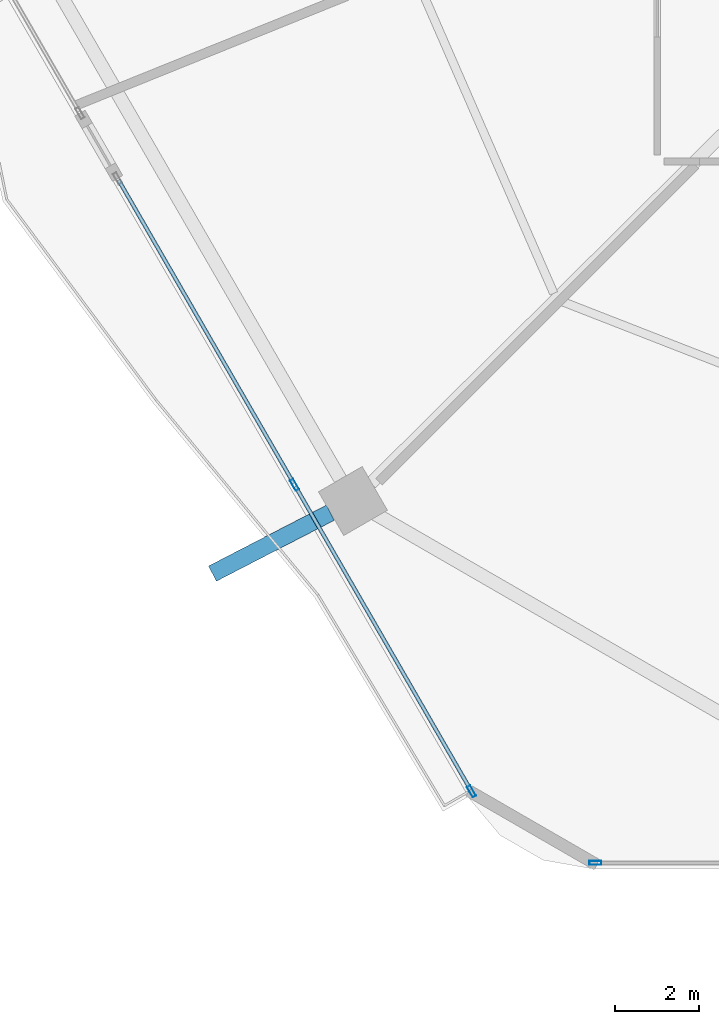
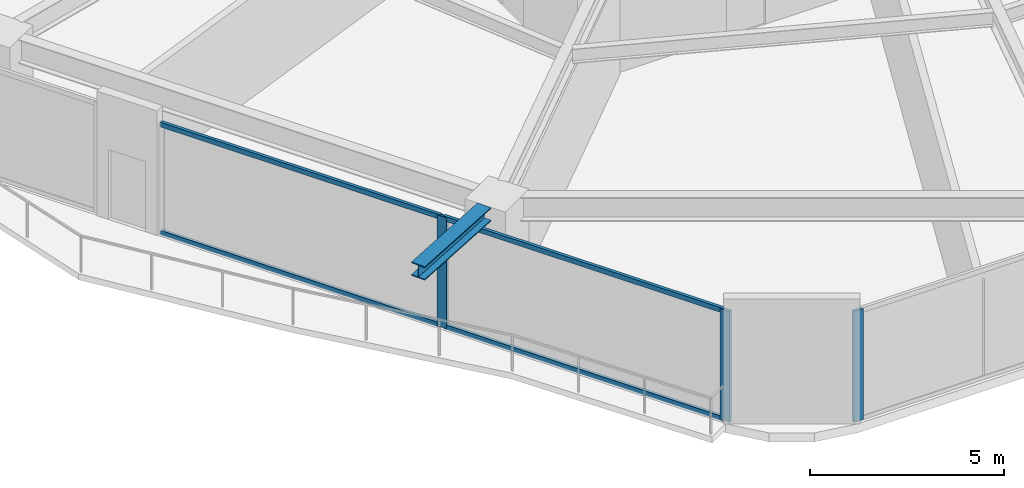
# One storey, part 2 of 27: 7 members, 1 beam, 2 elements without a shape of their own.
"""IFC4 building model written with IfcOpenShell, lengths in metres."""

from ifc_helpers import new_model, si_unit, direction, frame, origin, origin_2d, place, context, subcontext, project, spatial, hollow_rectangle, i_section, extrude, material, material_profile, profile_set, type_object, element, aggregate, save


model = new_model("IFC4")

# Units and contexts
model_context = context("Model", 3, precision=1e-05, world=origin(), true_north=direction((0.0, 1.0)))
body_context = subcontext(model_context, "Body", "Model", "MODEL_VIEW")
ifc_project = project(units=[si_unit("LENGTHUNIT", "METRE"), si_unit("AREAUNIT", "SQUARE_METRE"), si_unit("VOLUMEUNIT", "CUBIC_METRE"), si_unit("PLANEANGLEUNIT", "RADIAN"), si_unit("MASSUNIT", "GRAM", prefix="KILO")], contexts=[model_context])

# Site, building, storey
site_placement = place(None, origin())
site = spatial("IfcSite", under=ifc_project, at=site_placement, CompositionType="ELEMENT")
building_placement = place(site_placement, origin())
building = spatial("IfcBuilding", under=site, at=building_placement, Name="Zuhravey Tower", CompositionType="ELEMENT")
storey_placement = place(building_placement, frame((0.0, 0.0, 12.0)))
storey = spatial("IfcBuildingStorey", under=building, at=storey_placement, Name="L03", CompositionType="ELEMENT", Elevation=12.0)

# Curtain wall, member
ifc_material_1 = material(Name="Thermally broken anodised aluminium", Category="aluminium")
curtain_wall_type = type_object("IfcCurtainWallType", Name="School Low-E Unitised Curtain Wall CW1", PredefinedType="NOTDEFINED", material=ifc_material_1)
curtain_wall_1_placement = place(storey_placement, origin())
curtain_wall_1 = element("IfcCurtainWall", 1, at=curtain_wall_1_placement, inside=storey, type_object=curtain_wall_type, Name="L03 CW1 CW-L03-F5-1", PredefinedType="NOTDEFINED")
ifc_material_2 = material(Name="Anodised aluminium", Category="aluminium")
ifc_material_profile_1 = material_profile(ifc_material_2, hollow_rectangle(XDim=0.090087890625, YDim=0.284912109375, WallThickness=0.0048828125, at=origin_2d()), Name="ALU-RHS-90x285x5")
ifc_profile_set_1 = profile_set([ifc_material_profile_1], Name="Anodised aluminium")
member_type_1 = type_object("IfcMemberType", Name="Curtain-Wall Mullion 90x180", PredefinedType="MULLION", material=ifc_profile_set_1)
member_1_placement = place(storey_placement, frame((21.24560546875, 3.04150390625, 0.0), z_axis=(0.0, 0.0, 1.0), x_axis=(0.0, -1.0, 0.0)))
member_1 = element("IfcMember", 2, at=member_1_placement, type_object=member_type_1, Name="CW1 mullion 4", PredefinedType="MULLION", context=body_context, shape_type="SweptSolid", body=[
    extrude(hollow_rectangle(XDim=0.090087890625, YDim=0.284912109375, WallThickness=0.0048828125, at=origin_2d()), origin(), (0.0, 0.0, 1.0), 3.491943359375),
])
aggregate(curtain_wall_1, [member_1])

# Curtain wall, members
curtain_wall_2_placement = place(storey_placement, origin())
curtain_wall_2 = element("IfcCurtainWall", 3, at=curtain_wall_2_placement, inside=storey, type_object=curtain_wall_type, Name="L03 CW1 CW-L03-F4-1", PredefinedType="NOTDEFINED")
member_2_placement = place(storey_placement, frame((18.298583984375, 4.742919921875, 0.0), z_axis=(0.0, 0.0, 1.0), x_axis=(-0.866025508574, -0.499999818499, 0.0)))
member_2 = element("IfcMember", 4, at=member_2_placement, type_object=member_type_1, Name="CW1 mullion 1", PredefinedType="MULLION", context=body_context, shape_type="SweptSolid", body=[
    extrude(hollow_rectangle(XDim=0.090087890625, YDim=0.284912109375, WallThickness=0.0048828125, at=origin_2d()), origin(), (0.0, 0.0, 1.0), 3.491943359375),
])
member_3_placement = place(storey_placement, frame((14.09228515625, 12.028564453125, 0.0), z_axis=(0.0, 0.0, 1.0), x_axis=(-0.866025508574, -0.499999818499, 0.0)))
member_3 = element("IfcMember", 5, at=member_3_placement, type_object=member_type_1, Name="CW1 mullion 2", PredefinedType="MULLION", context=body_context, shape_type="SweptSolid", body=[
    extrude(hollow_rectangle(XDim=0.090087890625, YDim=0.284912109375, WallThickness=0.0048828125, at=origin_2d()), origin(), (0.0, 0.0, 1.0), 3.491943359375),
])
ifc_material_profile_2 = material_profile(ifc_material_2, hollow_rectangle(XDim=0.090087890625, YDim=0.14990234375, WallThickness=0.0048828125, at=origin_2d()), Name="ALU-RHS-90x150x5")
ifc_profile_set_2 = profile_set([ifc_material_profile_2], Name="Anodised aluminium")
member_type_2 = type_object("IfcMemberType", Name="Curtain-Wall Transom 90x150", PredefinedType="USERDEFINED", material=ifc_profile_set_2)
member_4_placement = place(storey_placement, frame((18.27587890625, 4.781982421875, 0.044921875), z_axis=(-0.499988236992, 0.866032195053, 0.0), x_axis=(-0.866032195053, -0.499988236992, 0.0)))
member_4 = element("IfcMember", 6, at=member_4_placement, type_object=member_type_2, Name="CW1 transom 1.1", ObjectType="TRANSOM", PredefinedType="USERDEFINED", context=body_context, shape_type="SweptSolid", body=[
    extrude(hollow_rectangle(XDim=0.090087890625, YDim=0.14990234375, WallThickness=0.0048828125, at=origin_2d()), origin(), (0.0, 0.0, 1.0), 8.322509765625),
])
member_5_placement = place(storey_placement, frame((18.27587890625, 4.781982421875, 3.447021484375), z_axis=(-0.499988236992, 0.866032195053, 0.0), x_axis=(-0.866032195053, -0.499988236992, 0.0)))
member_5 = element("IfcMember", 7, at=member_5_placement, type_object=member_type_2, Name="CW1 transom 1.2", ObjectType="TRANSOM", PredefinedType="USERDEFINED", context=body_context, shape_type="SweptSolid", body=[
    extrude(hollow_rectangle(XDim=0.090087890625, YDim=0.14990234375, WallThickness=0.0048828125, at=origin_2d()), origin(), (0.0, 0.0, 1.0), 8.322509765625),
])
member_6_placement = place(storey_placement, frame((14.069580078125, 12.0673828125, 0.044921875), z_axis=(-0.49997553497, 0.866039528216, 0.0), x_axis=(-0.866039528216, -0.49997553497, 0.0)))
member_6 = element("IfcMember", 8, at=member_6_placement, type_object=member_type_2, Name="CW1 transom 2.1", ObjectType="TRANSOM", PredefinedType="USERDEFINED", context=body_context, shape_type="SweptSolid", body=[
    extrude(hollow_rectangle(XDim=0.090087890625, YDim=0.14990234375, WallThickness=0.0048828125, at=origin_2d()), origin(), (0.0, 0.0, 1.0), 8.32275390625),
])
member_7_placement = place(storey_placement, frame((14.069580078125, 12.0673828125, 3.447021484375), z_axis=(-0.49997553497, 0.866039528216, 0.0), x_axis=(-0.866039528216, -0.49997553497, 0.0)))
member_7 = element("IfcMember", 9, at=member_7_placement, type_object=member_type_2, Name="CW1 transom 2.2", ObjectType="TRANSOM", PredefinedType="USERDEFINED", context=body_context, shape_type="SweptSolid", body=[
    extrude(hollow_rectangle(XDim=0.090087890625, YDim=0.14990234375, WallThickness=0.0048828125, at=origin_2d()), origin(), (0.0, 0.0, 1.0), 8.32275390625),
])
aggregate(curtain_wall_2, [member_2, member_3, member_4, member_5, member_6, member_7])

# Beam
ifc_material_3 = material(Name="Steel SM460", Category="steel")
ifc_material_profile_3 = material_profile(ifc_material_3, i_section(OverallWidth=0.406982421875, OverallDepth=0.427978515625, WebThickness=0.02001953125, FlangeThickness=0.034912109375, at=origin_2d()), Name="H-428x407x20x35")
ifc_profile_set_3 = profile_set([ifc_material_profile_3], Name="Steel SM460")
beam_type = type_object("IfcBeamType", Name="Exoskeleton Node Tie Beam H428x407", PredefinedType="BEAM", material=ifc_profile_set_3)
beam_placement = place(storey_placement, frame((14.94384765625, 11.365478515625, 3.7060546875), z_axis=(-0.888436426632, -0.458999690449, 0.0), x_axis=(0.458999690449, -0.888436426632, 0.0)))
element("IfcBeam", 10, at=beam_placement, inside=storey, type_object=beam_type, Name="L03 Exoskeleton Node Tie NT1-08", PredefinedType="BEAM", context=body_context, shape_type="SweptSolid", body=[
    extrude(i_section(OverallWidth=0.406982421875, OverallDepth=0.427978515625, WebThickness=0.02001953125, FlangeThickness=0.034912109375, at=origin_2d()), origin(), (0.0, 0.0, 1.0), 3.15478515625),
])

save(model, "model.ifc")
